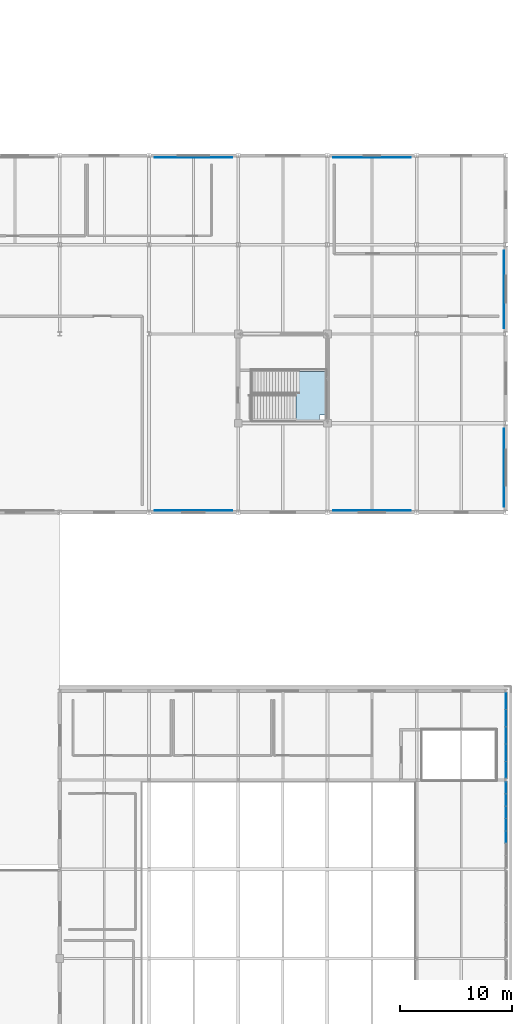
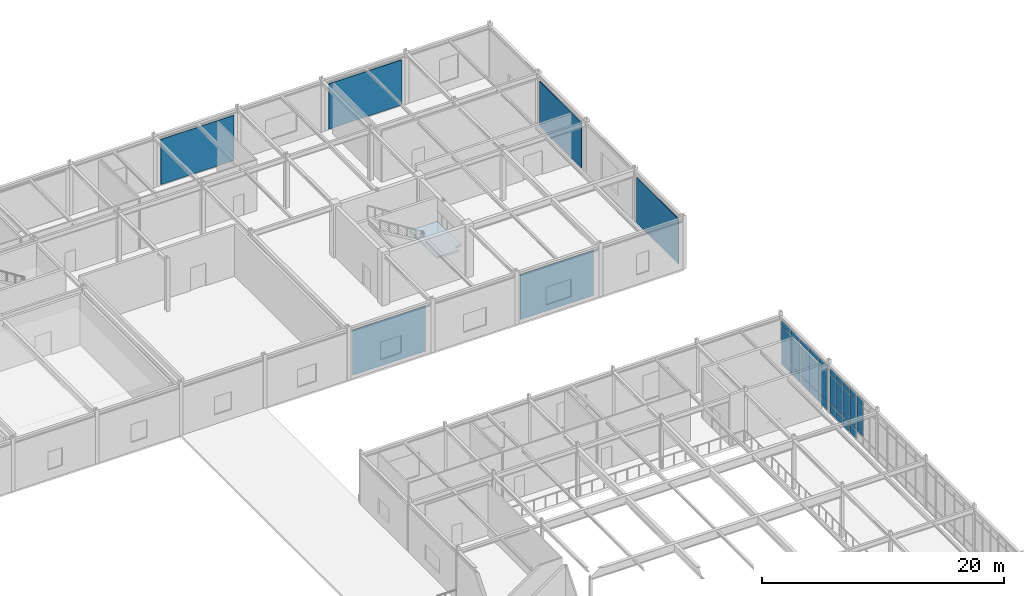
# One storey, part 70 of 108: 35 plates, 1 slab, 3 elements without a shape of their own.
"""IFC4 building model written with IfcOpenShell, lengths in metres."""

from ifc_helpers import new_model, si_unit, direction, frame, origin, origin_2d, place, context, subcontext, project, spatial, polyline, rectangle, outline, extrude, material, layer, layer_set, type_object, element, aggregate, save


model = new_model("IFC4")

# Units and contexts
model_context = context("Model", 3, precision=1e-05, world=origin(), true_north=direction((0.0, 1.0)))
body_context = subcontext(model_context, "Body", "Model", "MODEL_VIEW")
ifc_project = project(units=[si_unit("LENGTHUNIT", "METRE"), si_unit("AREAUNIT", "SQUARE_METRE"), si_unit("VOLUMEUNIT", "CUBIC_METRE"), si_unit("PLANEANGLEUNIT", "RADIAN"), si_unit("MASSUNIT", "GRAM", prefix="KILO")], contexts=[model_context])

# Site, building, storey
site_placement = place(None, origin())
site = spatial("IfcSite", under=ifc_project, at=site_placement, CompositionType="ELEMENT")
building_placement = place(site_placement, origin())
building = spatial("IfcBuilding", under=site, at=building_placement, Name="Zhaolan Boulevard Law Courts", CompositionType="ELEMENT")
storey_placement = place(building_placement, frame((0.0, 0.0, 10.800048828125)))
storey = spatial("IfcBuildingStorey", under=building, at=storey_placement, Name="L02", CompositionType="ELEMENT", Elevation=10.800048828125)

# Curtain wall, plates
ifc_material_1 = material(Name="Thermally broken aluminium and low-E glazing", Category="aluminium")
curtain_wall_type_1 = type_object("IfcCurtainWallType", Name="CURTAIN WALL M18", PredefinedType="USERDEFINED", material=ifc_material_1)
curtain_wall_1_placement = place(storey_placement, origin())
curtain_wall_1 = element("IfcCurtainWall", 1, at=curtain_wall_1_placement, inside=storey, type_object=curtain_wall_type_1, Name="Curtain Wall CW-L02-090", ObjectType="CURTAIN WALL", PredefinedType="USERDEFINED")
ifc_material_2 = material(Name="Triple-silver low-E insulated glazing", Category="glass")
ifc_layer_1 = layer(ifc_material_2, 0.028076171875)
ifc_layer_set_1 = layer_set([ifc_layer_1])
plate_type_1 = type_object("IfcPlateType", Name="CWPANEL LOW E28", PredefinedType="CURTAIN_PANEL", material=ifc_layer_set_1)
plate_1_placement = place(storey_placement, frame((164.0, 32.893310546875, 0.9326171875), z_axis=(0.0, 0.0, 1.0), x_axis=(0.0, 1.0, 0.0)))
plate_1 = element("IfcPlate", 2, at=plate_1_placement, type_object=plate_type_1, Name="CW-L02-090 panel 3.2", PredefinedType="CURTAIN_PANEL", context=body_context, shape_type="SweptSolid", body=[
    extrude(rectangle(XDim=1.04150390625, YDim=0.028076171875, at=origin_2d()), origin(), (0.0, 0.0, 1.0), 2.988037109375),
])
plate_2_placement = place(storey_placement, frame((164.0, 32.893310546875, 3.9853515625), z_axis=(0.0, 0.0, 1.0), x_axis=(0.0, 1.0, 0.0)))
plate_2 = element("IfcPlate", 3, at=plate_2_placement, type_object=plate_type_1, Name="CW-L02-090 panel 3.3", PredefinedType="CURTAIN_PANEL", context=body_context, shape_type="SweptSolid", body=[
    extrude(rectangle(XDim=1.04150390625, YDim=0.028076171875, at=origin_2d()), origin(), (0.0, 0.0, 1.0), 0.552490234375),
])
plate_3_placement = place(storey_placement, frame((164.0, 34.0, 0.06494140625), z_axis=(0.0, 0.0, 1.0), x_axis=(0.0, 1.0, 0.0)))
plate_3 = element("IfcPlate", 4, at=plate_3_placement, type_object=plate_type_1, Name="CW-L02-090 panel 4.1", PredefinedType="CURTAIN_PANEL", context=body_context, shape_type="SweptSolid", body=[
    extrude(rectangle(XDim=1.04150390625, YDim=0.028076171875, at=origin_2d()), origin(), (0.0, 0.0, 1.0), 0.802490234375),
])
plate_4_placement = place(storey_placement, frame((164.0, 34.0, 0.9326171875), z_axis=(0.0, 0.0, 1.0), x_axis=(0.0, 1.0, 0.0)))
plate_4 = element("IfcPlate", 5, at=plate_4_placement, type_object=plate_type_1, Name="CW-L02-090 panel 4.2", PredefinedType="CURTAIN_PANEL", context=body_context, shape_type="SweptSolid", body=[
    extrude(rectangle(XDim=1.04150390625, YDim=0.028076171875, at=origin_2d()), origin(), (0.0, 0.0, 1.0), 2.988037109375),
])
plate_5_placement = place(storey_placement, frame((164.0, 34.0, 3.9853515625), z_axis=(0.0, 0.0, 1.0), x_axis=(0.0, 1.0, 0.0)))
plate_5 = element("IfcPlate", 6, at=plate_5_placement, type_object=plate_type_1, Name="CW-L02-090 panel 4.3", PredefinedType="CURTAIN_PANEL", context=body_context, shape_type="SweptSolid", body=[
    extrude(rectangle(XDim=1.04150390625, YDim=0.028076171875, at=origin_2d()), origin(), (0.0, 0.0, 1.0), 0.552490234375),
])
plate_6_placement = place(storey_placement, frame((164.0, 35.106689453125, 0.06494140625), z_axis=(0.0, 0.0, 1.0), x_axis=(0.0, 1.0, 0.0)))
plate_6 = element("IfcPlate", 7, at=plate_6_placement, type_object=plate_type_1, Name="CW-L02-090 panel 5.1", PredefinedType="CURTAIN_PANEL", context=body_context, shape_type="SweptSolid", body=[
    extrude(rectangle(XDim=1.04150390625, YDim=0.028076171875, at=origin_2d()), origin(), (0.0, 0.0, 1.0), 0.802490234375),
])
plate_7_placement = place(storey_placement, frame((164.0, 35.106689453125, 0.9326171875), z_axis=(0.0, 0.0, 1.0), x_axis=(0.0, 1.0, 0.0)))
plate_7 = element("IfcPlate", 8, at=plate_7_placement, type_object=plate_type_1, Name="CW-L02-090 panel 5.2", PredefinedType="CURTAIN_PANEL", context=body_context, shape_type="SweptSolid", body=[
    extrude(rectangle(XDim=1.04150390625, YDim=0.028076171875, at=origin_2d()), origin(), (0.0, 0.0, 1.0), 2.988037109375),
])
plate_8_placement = place(storey_placement, frame((164.0, 35.106689453125, 3.9853515625), z_axis=(0.0, 0.0, 1.0), x_axis=(0.0, 1.0, 0.0)))
plate_8 = element("IfcPlate", 9, at=plate_8_placement, type_object=plate_type_1, Name="CW-L02-090 panel 5.3", PredefinedType="CURTAIN_PANEL", context=body_context, shape_type="SweptSolid", body=[
    extrude(rectangle(XDim=1.04150390625, YDim=0.028076171875, at=origin_2d()), origin(), (0.0, 0.0, 1.0), 0.552490234375),
])
plate_9_placement = place(storey_placement, frame((164.0, 36.213134765625, 0.06494140625), z_axis=(0.0, 0.0, 1.0), x_axis=(0.0, 1.0, 0.0)))
plate_9 = element("IfcPlate", 10, at=plate_9_placement, type_object=plate_type_1, Name="CW-L02-090 panel 6.1", PredefinedType="CURTAIN_PANEL", context=body_context, shape_type="SweptSolid", body=[
    extrude(rectangle(XDim=1.04150390625, YDim=0.028076171875, at=origin_2d()), origin(), (0.0, 0.0, 1.0), 0.802490234375),
])
plate_10_placement = place(storey_placement, frame((164.0, 36.213134765625, 0.9326171875), z_axis=(0.0, 0.0, 1.0), x_axis=(0.0, 1.0, 0.0)))
plate_10 = element("IfcPlate", 11, at=plate_10_placement, type_object=plate_type_1, Name="CW-L02-090 panel 6.2", PredefinedType="CURTAIN_PANEL", context=body_context, shape_type="SweptSolid", body=[
    extrude(rectangle(XDim=1.04150390625, YDim=0.028076171875, at=origin_2d()), origin(), (0.0, 0.0, 1.0), 2.988037109375),
])
plate_11_placement = place(storey_placement, frame((164.0, 36.213134765625, 3.9853515625), z_axis=(0.0, 0.0, 1.0), x_axis=(0.0, 1.0, 0.0)))
plate_11 = element("IfcPlate", 12, at=plate_11_placement, type_object=plate_type_1, Name="CW-L02-090 panel 6.3", PredefinedType="CURTAIN_PANEL", context=body_context, shape_type="SweptSolid", body=[
    extrude(rectangle(XDim=1.04150390625, YDim=0.028076171875, at=origin_2d()), origin(), (0.0, 0.0, 1.0), 0.552490234375),
])
plate_12_placement = place(storey_placement, frame((164.0, 37.303466796875, 0.06494140625), z_axis=(0.0, 0.0, 1.0), x_axis=(0.0, 1.0, 0.0)))
plate_12 = element("IfcPlate", 13, at=plate_12_placement, type_object=plate_type_1, Name="CW-L02-090 panel 7.1", PredefinedType="CURTAIN_PANEL", context=body_context, shape_type="SweptSolid", body=[
    extrude(rectangle(XDim=1.009033203125, YDim=0.028076171875, at=origin_2d()), origin(), (0.0, 0.0, 1.0), 0.802490234375),
])
plate_13_placement = place(storey_placement, frame((164.0, 37.303466796875, 0.9326171875), z_axis=(0.0, 0.0, 1.0), x_axis=(0.0, 1.0, 0.0)))
plate_13 = element("IfcPlate", 14, at=plate_13_placement, type_object=plate_type_1, Name="CW-L02-090 panel 7.2", PredefinedType="CURTAIN_PANEL", context=body_context, shape_type="SweptSolid", body=[
    extrude(rectangle(XDim=1.009033203125, YDim=0.028076171875, at=origin_2d()), origin(), (0.0, 0.0, 1.0), 2.988037109375),
])
plate_14_placement = place(storey_placement, frame((164.0, 37.303466796875, 3.9853515625), z_axis=(0.0, 0.0, 1.0), x_axis=(0.0, 1.0, 0.0)))
plate_14 = element("IfcPlate", 15, at=plate_14_placement, type_object=plate_type_1, Name="CW-L02-090 panel 7.3", PredefinedType="CURTAIN_PANEL", context=body_context, shape_type="SweptSolid", body=[
    extrude(rectangle(XDim=1.009033203125, YDim=0.028076171875, at=origin_2d()), origin(), (0.0, 0.0, 1.0), 0.552490234375),
])
aggregate(curtain_wall_1, [plate_1, plate_2, plate_3, plate_4, plate_5, plate_6, plate_7, plate_8, plate_9, plate_10, plate_11, plate_12, plate_13, plate_14])

ifc_material_3 = material(Name="Thermally broken aluminium and low-E glazing", Category="aluminium")
curtain_wall_type_2 = type_object("IfcCurtainWallType", Name="CURTAIN WALL M19", PredefinedType="USERDEFINED", material=ifc_material_3)
curtain_wall_2_placement = place(storey_placement, origin())
curtain_wall_2 = element("IfcCurtainWall", 16, at=curtain_wall_2_placement, inside=storey, type_object=curtain_wall_type_2, Name="Curtain Wall CW-L02-091", ObjectType="CURTAIN WALL", PredefinedType="USERDEFINED")
plate_15_placement = place(storey_placement, frame((164.0, 38.91796875, 0.06494140625), z_axis=(0.0, 0.0, 1.0), x_axis=(0.0, 1.0, 0.0)))
plate_15 = element("IfcPlate", 17, at=plate_15_placement, type_object=plate_type_1, Name="CW-L02-091 panel 1.1", PredefinedType="CURTAIN_PANEL", context=body_context, shape_type="SweptSolid", body=[
    extrude(rectangle(XDim=1.45166015625, YDim=0.028076171875, at=origin_2d()), origin(), (0.0, 0.0, 1.0), 0.802490234375),
])
plate_16_placement = place(storey_placement, frame((164.0, 38.91796875, 0.9326171875), z_axis=(0.0, 0.0, 1.0), x_axis=(0.0, 1.0, 0.0)))
plate_16 = element("IfcPlate", 18, at=plate_16_placement, type_object=plate_type_1, Name="CW-L02-091 panel 1.2", PredefinedType="CURTAIN_PANEL", context=body_context, shape_type="SweptSolid", body=[
    extrude(rectangle(XDim=1.45166015625, YDim=0.028076171875, at=origin_2d()), origin(), (0.0, 0.0, 1.0), 2.988037109375),
])
plate_17_placement = place(storey_placement, frame((164.0, 38.91796875, 3.9853515625), z_axis=(0.0, 0.0, 1.0), x_axis=(0.0, 1.0, 0.0)))
plate_17 = element("IfcPlate", 19, at=plate_17_placement, type_object=plate_type_1, Name="CW-L02-091 panel 1.3", PredefinedType="CURTAIN_PANEL", context=body_context, shape_type="SweptSolid", body=[
    extrude(rectangle(XDim=1.45166015625, YDim=0.028076171875, at=origin_2d()), origin(), (0.0, 0.0, 1.0), 0.552490234375),
])
plate_18_placement = place(storey_placement, frame((164.0, 40.45068359375, 0.06494140625), z_axis=(0.0, 0.0, 1.0), x_axis=(0.0, 1.0, 0.0)))
plate_18 = element("IfcPlate", 20, at=plate_18_placement, type_object=plate_type_1, Name="CW-L02-091 panel 2.1", PredefinedType="CURTAIN_PANEL", context=body_context, shape_type="SweptSolid", body=[
    extrude(rectangle(XDim=1.484130859375, YDim=0.028076171875, at=origin_2d()), origin(), (0.0, 0.0, 1.0), 0.802490234375),
])
plate_19_placement = place(storey_placement, frame((164.0, 40.45068359375, 0.9326171875), z_axis=(0.0, 0.0, 1.0), x_axis=(0.0, 1.0, 0.0)))
plate_19 = element("IfcPlate", 21, at=plate_19_placement, type_object=plate_type_1, Name="CW-L02-091 panel 2.2", PredefinedType="CURTAIN_PANEL", context=body_context, shape_type="SweptSolid", body=[
    extrude(rectangle(XDim=1.484130859375, YDim=0.028076171875, at=origin_2d()), origin(), (0.0, 0.0, 1.0), 2.988037109375),
])
plate_20_placement = place(storey_placement, frame((164.0, 40.45068359375, 3.9853515625), z_axis=(0.0, 0.0, 1.0), x_axis=(0.0, 1.0, 0.0)))
plate_20 = element("IfcPlate", 22, at=plate_20_placement, type_object=plate_type_1, Name="CW-L02-091 panel 2.3", PredefinedType="CURTAIN_PANEL", context=body_context, shape_type="SweptSolid", body=[
    extrude(rectangle(XDim=1.484130859375, YDim=0.028076171875, at=origin_2d()), origin(), (0.0, 0.0, 1.0), 0.552490234375),
])
plate_21_placement = place(storey_placement, frame((164.0, 42.0, 0.06494140625), z_axis=(0.0, 0.0, 1.0), x_axis=(0.0, 1.0, 0.0)))
plate_21 = element("IfcPlate", 23, at=plate_21_placement, type_object=plate_type_1, Name="CW-L02-091 panel 3.1", PredefinedType="CURTAIN_PANEL", context=body_context, shape_type="SweptSolid", body=[
    extrude(rectangle(XDim=1.484130859375, YDim=0.028076171875, at=origin_2d()), origin(), (0.0, 0.0, 1.0), 0.802490234375),
])
plate_22_placement = place(storey_placement, frame((164.0, 42.0, 0.9326171875), z_axis=(0.0, 0.0, 1.0), x_axis=(0.0, 1.0, 0.0)))
plate_22 = element("IfcPlate", 24, at=plate_22_placement, type_object=plate_type_1, Name="CW-L02-091 panel 3.2", PredefinedType="CURTAIN_PANEL", context=body_context, shape_type="SweptSolid", body=[
    extrude(rectangle(XDim=1.484130859375, YDim=0.028076171875, at=origin_2d()), origin(), (0.0, 0.0, 1.0), 2.988037109375),
])
plate_23_placement = place(storey_placement, frame((164.0, 42.0, 3.9853515625), z_axis=(0.0, 0.0, 1.0), x_axis=(0.0, 1.0, 0.0)))
plate_23 = element("IfcPlate", 25, at=plate_23_placement, type_object=plate_type_1, Name="CW-L02-091 panel 3.3", PredefinedType="CURTAIN_PANEL", context=body_context, shape_type="SweptSolid", body=[
    extrude(rectangle(XDim=1.484130859375, YDim=0.028076171875, at=origin_2d()), origin(), (0.0, 0.0, 1.0), 0.552490234375),
])
plate_24_placement = place(storey_placement, frame((164.0, 43.54931640625, 0.06494140625), z_axis=(0.0, 0.0, 1.0), x_axis=(0.0, 1.0, 0.0)))
plate_24 = element("IfcPlate", 26, at=plate_24_placement, type_object=plate_type_1, Name="CW-L02-091 panel 4.1", PredefinedType="CURTAIN_PANEL", context=body_context, shape_type="SweptSolid", body=[
    extrude(rectangle(XDim=1.484130859375, YDim=0.028076171875, at=origin_2d()), origin(), (0.0, 0.0, 1.0), 0.802490234375),
])
plate_25_placement = place(storey_placement, frame((164.0, 43.54931640625, 0.9326171875), z_axis=(0.0, 0.0, 1.0), x_axis=(0.0, 1.0, 0.0)))
plate_25 = element("IfcPlate", 27, at=plate_25_placement, type_object=plate_type_1, Name="CW-L02-091 panel 4.2", PredefinedType="CURTAIN_PANEL", context=body_context, shape_type="SweptSolid", body=[
    extrude(rectangle(XDim=1.484130859375, YDim=0.028076171875, at=origin_2d()), origin(), (0.0, 0.0, 1.0), 2.988037109375),
])
plate_26_placement = place(storey_placement, frame((164.0, 43.54931640625, 3.9853515625), z_axis=(0.0, 0.0, 1.0), x_axis=(0.0, 1.0, 0.0)))
plate_26 = element("IfcPlate", 28, at=plate_26_placement, type_object=plate_type_1, Name="CW-L02-091 panel 4.3", PredefinedType="CURTAIN_PANEL", context=body_context, shape_type="SweptSolid", body=[
    extrude(rectangle(XDim=1.484130859375, YDim=0.028076171875, at=origin_2d()), origin(), (0.0, 0.0, 1.0), 0.552490234375),
])
plate_27_placement = place(storey_placement, frame((164.0, 45.08203125, 0.06494140625), z_axis=(0.0, 0.0, 1.0), x_axis=(0.0, 1.0, 0.0)))
plate_27 = element("IfcPlate", 29, at=plate_27_placement, type_object=plate_type_1, Name="CW-L02-091 panel 5.1", PredefinedType="CURTAIN_PANEL", context=body_context, shape_type="SweptSolid", body=[
    extrude(rectangle(XDim=1.45166015625, YDim=0.028076171875, at=origin_2d()), origin(), (0.0, 0.0, 1.0), 0.802490234375),
])
plate_28_placement = place(storey_placement, frame((164.0, 45.08203125, 0.9326171875), z_axis=(0.0, 0.0, 1.0), x_axis=(0.0, 1.0, 0.0)))
plate_28 = element("IfcPlate", 30, at=plate_28_placement, type_object=plate_type_1, Name="CW-L02-091 panel 5.2", PredefinedType="CURTAIN_PANEL", context=body_context, shape_type="SweptSolid", body=[
    extrude(rectangle(XDim=1.45166015625, YDim=0.028076171875, at=origin_2d()), origin(), (0.0, 0.0, 1.0), 2.988037109375),
])
plate_29_placement = place(storey_placement, frame((164.0, 45.08203125, 3.9853515625), z_axis=(0.0, 0.0, 1.0), x_axis=(0.0, 1.0, 0.0)))
plate_29 = element("IfcPlate", 31, at=plate_29_placement, type_object=plate_type_1, Name="CW-L02-091 panel 5.3", PredefinedType="CURTAIN_PANEL", context=body_context, shape_type="SweptSolid", body=[
    extrude(rectangle(XDim=1.45166015625, YDim=0.028076171875, at=origin_2d()), origin(), (0.0, 0.0, 1.0), 0.552490234375),
])
aggregate(curtain_wall_2, [plate_15, plate_16, plate_17, plate_18, plate_19, plate_20, plate_21, plate_22, plate_23, plate_24, plate_25, plate_26, plate_27, plate_28, plate_29])

# Stair, slab
ifc_material_4 = material(Name="Concrete C40", Category="concrete")
stair_type = type_object("IfcStairType", Name="HALF TURN STAIR 54 B", PredefinedType="HALF_TURN_STAIR", material=ifc_material_4)
stair_placement = place(storey_placement, origin())
stair = element("IfcStair", 32, at=stair_placement, inside=storey, type_object=stair_type, Name="Stair ST09-L02", PredefinedType="HALF_TURN_STAIR")
ifc_material_5 = material(Name="Concrete C40", Category="concrete")
ifc_layer_2 = layer(ifc_material_5, 0.199951171875)
ifc_layer_set_2 = layer_set([ifc_layer_2])
slab_type = type_object("IfcSlabType", Name="STAIR LANDING 200", PredefinedType="LANDING", material=ifc_layer_set_2)
slab_placement = place(storey_placement, frame((0.0, 0.0, 2.5)))
slab = element("IfcSlab", 33, at=slab_placement, type_object=slab_type, Name="Stair Landing ST09-L02-L1", PredefinedType="LANDING", context=body_context, shape_type="SweptSolid", body=[
    extrude(outline(polyline([(145.18994140625, 70.169921875), (147.27001953125, 70.169921875), (147.27001953125, 70.72998046875), (147.830078125, 70.72998046875), (147.830078125, 74.639892578125), (145.18994140625, 74.639892578125), (145.18994140625, 70.169921875)])), origin(), (0.0, 0.0, 1.0), 0.199951171875),
])
aggregate(stair, [slab])

# Plates
ifc_material_6 = material(Name="Pale mist-grey standing-seam Al-Mg-Mn zinc-titanium")
ifc_layer_3 = layer(ifc_material_6, 0.0400390625)
ifc_layer_set_3 = layer_set([ifc_layer_3])
plate_type_2 = type_object("IfcPlateType", Name="STANDING SEAM PLATE 40", PredefinedType="SHEET", material=ifc_layer_set_3)
for number, where, z_axis, x_axis, name in (
    (34, (136.0, 62.169921875, 0.099365234375), (0.0, 0.0, 1.0), (1.0, 0.0, 0.0), "Standing-Seam Metal Wall Cladding SSP-L02-246"),
    (35, (136.0, 93.830078125, 0.099365234375), (0.0, 0.0, 1.0), (-1.0, 0.0, 0.0), "Standing-Seam Metal Wall Cladding SSP-L02-258"),
):
    element("IfcPlate", number, at=place(storey_placement, frame(where, z_axis=z_axis, x_axis=x_axis)), inside=storey, type_object=plate_type_2, Name=name, PredefinedType="SHEET", context=body_context, shape_type="SweptSolid", body=[
        extrude(rectangle(XDim=6.9599609375, YDim=0.0400390625, at=origin_2d()), origin(), (0.0, 0.0, 1.0), 4.56298828125),
    ])
ifc_material_7 = material(Name="Pale mist-grey standing-seam Al-Mg-Mn zinc-titanium")
ifc_layer_4 = layer(ifc_material_7, 0.050048828125)
ifc_layer_set_4 = layer_set([ifc_layer_4])
plate_type_3 = type_object("IfcPlateType", Name="STANDING SEAM PLATE 50", PredefinedType="SHEET", material=ifc_layer_set_4)
for number, where, z_axis, x_axis, name in (
    (36, (152.0, 62.175048828125, 0.099365234375), (0.0, 0.0, 1.0), (1.0, 0.0, 0.0), "Standing-Seam Metal Wall Cladding SSP-L02-248"),
    (37, (152.0, 93.824951171875, 0.099365234375), (0.0, 0.0, 1.0), (-1.0, 0.0, 0.0), "Standing-Seam Metal Wall Cladding SSP-L02-260"),
    (38, (163.824951171875, 66.0, 0.099365234375), (0.0, 0.0, 1.0), (0.0, 1.0, 0.0), "Standing-Seam Metal Wall Cladding SSP-L02-266"),
):
    element("IfcPlate", number, at=place(storey_placement, frame(where, z_axis=z_axis, x_axis=x_axis)), inside=storey, type_object=plate_type_3, Name=name, PredefinedType="SHEET", context=body_context, shape_type="SweptSolid", body=[
        extrude(rectangle(XDim=6.9599609375, YDim=0.050048828125, at=origin_2d()), origin(), (0.0, 0.0, 1.0), 4.56298828125),
    ])
ifc_material_8 = material(Name="Pale mist-grey standing-seam Al-Mg-Mn zinc-titanium")
ifc_layer_5 = layer(ifc_material_8, 0.06005859375)
ifc_layer_set_5 = layer_set([ifc_layer_5])
plate_type_4 = type_object("IfcPlateType", Name="STANDING SEAM PLATE 60", PredefinedType="SHEET", material=ifc_layer_set_5)
plate_30_placement = place(storey_placement, frame((163.820068359375, 82.0, 0.099365234375), z_axis=(0.0, 0.0, 1.0), x_axis=(0.0, 1.0, 0.0)))
element("IfcPlate", 39, at=plate_30_placement, inside=storey, type_object=plate_type_4, Name="Standing-Seam Metal Wall Cladding SSP-L02-268", PredefinedType="SHEET", context=body_context, shape_type="SweptSolid", body=[
    extrude(rectangle(XDim=6.9599609375, YDim=0.06005859375, at=origin_2d()), origin(), (0.0, 0.0, 1.0), 4.56298828125),
])

save(model, "model.ifc")
